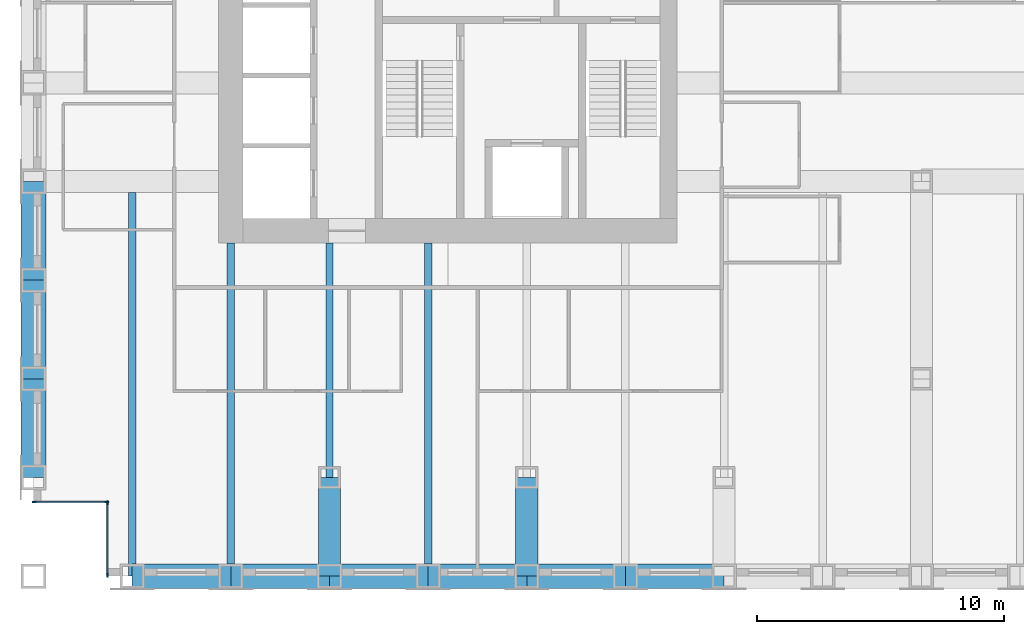
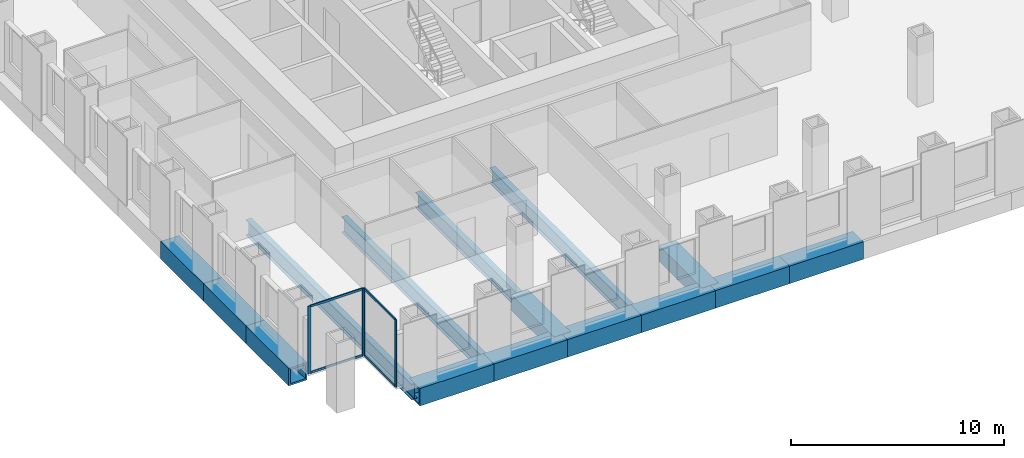
# One storey, part 2 of 16: 15 beams, 8 members, 2 elements without a shape of their own.
"""IFC4 building model written with IfcOpenShell, lengths in metres."""

from ifc_helpers import new_model, si_unit, direction, frame, origin, origin_2d, place, context, subcontext, project, spatial, rectangle, hollow_rectangle, i_section, extrude, material, material_profile, profile_set, type_object, element, aggregate, save


model = new_model("IFC4")

# Units and contexts
model_context = context("Model", 3, precision=1e-05, world=origin(), true_north=direction((0.0, 1.0)))
body_context = subcontext(model_context, "Body", "Model", "MODEL_VIEW")
ifc_project = project(units=[si_unit("LENGTHUNIT", "METRE"), si_unit("AREAUNIT", "SQUARE_METRE"), si_unit("VOLUMEUNIT", "CUBIC_METRE"), si_unit("PLANEANGLEUNIT", "RADIAN"), si_unit("MASSUNIT", "GRAM", prefix="KILO")], contexts=[model_context])

# Site, building, storey
site_placement = place(None, origin())
site = spatial("IfcSite", under=ifc_project, at=site_placement, CompositionType="ELEMENT")
building_placement = place(site_placement, origin())
building = spatial("IfcBuilding", under=site, at=building_placement, Name="Rimbunsela Tower", CompositionType="ELEMENT")
storey_placement = place(building_placement, frame((0.0, 0.0, 125.39990234375)))
storey = spatial("IfcBuildingStorey", under=building, at=storey_placement, Name="L30", CompositionType="ELEMENT", Elevation=125.39990234375)

# Beams
ifc_material_1 = material(Name="Steel BJ 55 (fy 410 MPa)", Category="steel")
ifc_material_profile_1 = material_profile(ifc_material_1, hollow_rectangle(XDim=1.0, YDim=1.0, WallThickness=0.10009765625, at=origin_2d()), Name="BOX 1000x1000x100")
ifc_profile_set_1 = profile_set([ifc_material_profile_1], Name="Steel BJ 55 (fy 410 MPa)")
beam_type_1 = type_object("IfcBeamType", Name="Beam BOX 1000x1000x100", PredefinedType="BEAM", material=ifc_profile_set_1)
for number, where, z_axis, x_axis, name in (
    (1, (10.0, 8.0, -0.64990234375), (0.0, 1.0, 0.0), (-1.0, 0.0, 0.0), "Beam B3 L30"),
    (2, (10.0, 12.0, -0.64990234375), (0.0, 1.0, 0.0), (-1.0, 0.0, 0.0), "Beam B3 L30"),
    (3, (10.0, 16.0, -0.64990234375), (0.0, 1.0, 0.0), (-1.0, 0.0, 0.0), "Beam B3 L30"),
    (4, (14.0, 4.0, -0.64990234375), (1.0, 0.0, 0.0), (0.0, 1.0, 0.0), "Beam B3 L30"),
    (5, (18.0, 4.0, -0.64990234375), (1.0, 0.0, 0.0), (0.0, 1.0, 0.0), "Beam B3 L30"),
    (6, (22.0, 4.0, -0.64990234375), (1.0, 0.0, 0.0), (0.0, 1.0, 0.0), "Beam B3 L30"),
    (7, (26.0, 4.0, -0.64990234375), (1.0, 0.0, 0.0), (0.0, 1.0, 0.0), "Beam B3 L30"),
    (8, (30.0, 4.0, -0.64990234375), (1.0, 0.0, 0.0), (0.0, 1.0, 0.0), "Beam B3 L30"),
    (9, (34.0, 4.0, -0.64990234375), (1.0, 0.0, 0.0), (0.0, 1.0, 0.0), "Beam B3 L30"),
):
    element("IfcBeam", number, at=place(storey_placement, frame(where, z_axis=z_axis, x_axis=x_axis)), inside=storey, type_object=beam_type_1, Name=name, PredefinedType="BEAM", context=body_context, shape_type="SweptSolid", body=[
        extrude(hollow_rectangle(XDim=1.0, YDim=1.0, WallThickness=0.10009765625, at=origin_2d()), origin(), (0.0, 0.0, 1.0), 4.0),
    ])
ifc_material_2 = material(Name="Steel BJ 55 (fy 410 MPa)", Category="steel")
ifc_material_profile_2 = material_profile(ifc_material_2, hollow_rectangle(XDim=0.89990234375, YDim=0.89990234375, WallThickness=0.06005859375, at=origin_2d()), Name="BOX 900x900x60")
ifc_profile_set_2 = profile_set([ifc_material_profile_2], Name="Steel BJ 55 (fy 410 MPa)")
beam_type_2 = type_object("IfcBeamType", Name="Beam BOX 900x900x60", PredefinedType="BEAM", material=ifc_profile_set_2)
for number, where, z_axis, x_axis, name in (
    (10, (22.0, 4.0, -0.599853515625), (0.0, 1.0, 0.0), (-1.0, 0.0, 0.0), "Beam B1 L30"),
    (11, (30.0, 4.0, -0.599853515625), (0.0, 1.0, 0.0), (-1.0, 0.0, 0.0), "Beam B1 L30"),
):
    element("IfcBeam", number, at=place(storey_placement, frame(where, z_axis=z_axis, x_axis=x_axis)), inside=storey, type_object=beam_type_2, Name=name, PredefinedType="BEAM", context=body_context, shape_type="SweptSolid", body=[
        extrude(hollow_rectangle(XDim=0.89990234375, YDim=0.89990234375, WallThickness=0.06005859375, at=origin_2d()), origin(), (0.0, 0.0, 1.0), 4.0),
    ])
ifc_material_3 = material(Name="Steel BJ 55 (fy 410 MPa)", Category="steel")
ifc_material_profile_3 = material_profile(ifc_material_3, i_section(OverallWidth=0.300048828125, OverallDepth=0.89990234375, WebThickness=0.01611328125, FlangeThickness=0.028076171875, FilletRadius=0.028076171875, at=origin_2d()), Name="H 900x300x16x28")
ifc_profile_set_3 = profile_set([ifc_material_profile_3], Name="Steel BJ 55 (fy 410 MPa)")
beam_type_3 = type_object("IfcBeamType", Name="Beam H 900x300x16x28", PredefinedType="BEAM", material=ifc_profile_set_3)
beam_1_placement = place(storey_placement, frame((14.0, 4.0, -0.599853515625), z_axis=(0.0, 1.0, 0.0), x_axis=(-1.0, 0.0, 0.0)))
element("IfcBeam", 12, at=beam_1_placement, inside=storey, type_object=beam_type_3, Name="Beam B2 L30", PredefinedType="BEAM", context=body_context, shape_type="SweptSolid", body=[
    extrude(i_section(OverallWidth=0.300048828125, OverallDepth=0.89990234375, WebThickness=0.01611328125, FlangeThickness=0.028076171875, FilletRadius=0.028076171875, at=origin_2d()), origin(), (0.0, 0.0, 1.0), 15.550048828125),
])
beam_2_placement = place(storey_placement, frame((18.0, 4.0, -0.599853515625), z_axis=(0.0, 1.0, 0.0), x_axis=(-1.0, 0.0, 0.0)))
element("IfcBeam", 13, at=beam_2_placement, inside=storey, type_object=beam_type_3, Name="Beam B2 L30", PredefinedType="BEAM", context=body_context, shape_type="SweptSolid", body=[
    extrude(i_section(OverallWidth=0.300048828125, OverallDepth=0.89990234375, WebThickness=0.01611328125, FlangeThickness=0.028076171875, FilletRadius=0.028076171875, at=origin_2d()), origin(), (0.0, 0.0, 1.0), 13.5),
])
beam_3_placement = place(storey_placement, frame((22.0, 8.0, -0.599853515625), z_axis=(0.0, 1.0, 0.0), x_axis=(-1.0, 0.0, 0.0)))
element("IfcBeam", 14, at=beam_3_placement, inside=storey, type_object=beam_type_3, Name="Beam B2 L30", PredefinedType="BEAM", context=body_context, shape_type="SweptSolid", body=[
    extrude(i_section(OverallWidth=0.300048828125, OverallDepth=0.89990234375, WebThickness=0.01611328125, FlangeThickness=0.028076171875, FilletRadius=0.028076171875, at=origin_2d()), origin(), (0.0, 0.0, 1.0), 9.5),
])
beam_4_placement = place(storey_placement, frame((26.0, 4.0, -0.599853515625), z_axis=(0.0, 1.0, 0.0), x_axis=(-1.0, 0.0, 0.0)))
element("IfcBeam", 15, at=beam_4_placement, inside=storey, type_object=beam_type_3, Name="Beam B2 L30", PredefinedType="BEAM", context=body_context, shape_type="SweptSolid", body=[
    extrude(i_section(OverallWidth=0.300048828125, OverallDepth=0.89990234375, WebThickness=0.01611328125, FlangeThickness=0.028076171875, FilletRadius=0.028076171875, at=origin_2d()), origin(), (0.0, 0.0, 1.0), 13.5),
])

# Curtain wall, members
ifc_material_4 = material(Name="Aluminium curtain wall", Category="aluminium")
curtain_wall_type = type_object("IfcCurtainWallType", Name="Corner glazing", PredefinedType="USERDEFINED", material=ifc_material_4)
curtain_wall_1_placement = place(storey_placement, origin())
curtain_wall_1 = element("IfcCurtainWall", 16, at=curtain_wall_1_placement, inside=storey, type_object=curtain_wall_type, Name="Corner glazing L30", ObjectType="CORNER GLAZING", PredefinedType="USERDEFINED")
ifc_material_5 = material(Name="Aluminium mullion", Category="aluminium")
ifc_material_profile_4 = material_profile(ifc_material_5, rectangle(XDim=0.06005859375, YDim=0.159912109375, at=origin_2d()), Name="Mullion 60x160")
ifc_profile_set_4 = profile_set([ifc_material_profile_4], Name="Aluminium mullion")
member_type_1 = type_object("IfcMemberType", Name="Curtain wall mullion 60x160", PredefinedType="MULLION", material=ifc_profile_set_4)
member_1_placement = place(storey_placement, frame((10.030029296875, 7.0, 0.0), z_axis=(0.0, 0.0, 1.0), x_axis=(0.0, 1.0, 0.0)))
member_1 = element("IfcMember", 17, at=member_1_placement, type_object=member_type_1, Name="CW5 mullion 1", PredefinedType="MULLION", context=body_context, shape_type="SweptSolid", body=[
    extrude(rectangle(XDim=0.06005859375, YDim=0.159912109375, at=origin_2d()), origin(), (0.0, 0.0, 1.0), 3.85009765625),
])
member_2_placement = place(storey_placement, frame((12.969970703125, 7.0, 0.0), z_axis=(0.0, 0.0, 1.0), x_axis=(0.0, 1.0, 0.0)))
member_2 = element("IfcMember", 18, at=member_2_placement, type_object=member_type_1, Name="CW5 mullion 2", PredefinedType="MULLION", context=body_context, shape_type="SweptSolid", body=[
    extrude(rectangle(XDim=0.06005859375, YDim=0.159912109375, at=origin_2d()), origin(), (0.0, 0.0, 1.0), 3.85009765625),
])

curtain_wall_2_placement = place(storey_placement, origin())
curtain_wall_2 = element("IfcCurtainWall", 19, at=curtain_wall_2_placement, inside=storey, type_object=curtain_wall_type, Name="Corner glazing L30", ObjectType="CORNER GLAZING", PredefinedType="USERDEFINED")
member_3_placement = place(storey_placement, frame((13.0, 6.969970703125, 0.0), z_axis=(0.0, 0.0, 1.0), x_axis=(1.0, 0.0, 0.0)))
member_3 = element("IfcMember", 20, at=member_3_placement, type_object=member_type_1, Name="CW5 mullion 1", PredefinedType="MULLION", context=body_context, shape_type="SweptSolid", body=[
    extrude(rectangle(XDim=0.06005859375, YDim=0.159912109375, at=origin_2d()), origin(), (0.0, 0.0, 1.0), 3.85009765625),
])
member_4_placement = place(storey_placement, frame((13.0, 4.030029296875, 0.0), z_axis=(0.0, 0.0, 1.0), x_axis=(1.0, 0.0, 0.0)))
member_4 = element("IfcMember", 21, at=member_4_placement, type_object=member_type_1, Name="CW5 mullion 2", PredefinedType="MULLION", context=body_context, shape_type="SweptSolid", body=[
    extrude(rectangle(XDim=0.06005859375, YDim=0.159912109375, at=origin_2d()), origin(), (0.0, 0.0, 1.0), 3.85009765625),
])

# Member
ifc_material_6 = material(Name="Aluminium transom", Category="aluminium")
ifc_material_profile_5 = material_profile(ifc_material_6, rectangle(XDim=0.06005859375, YDim=0.1201171875, at=origin_2d()), Name="Transom 60x120")
ifc_profile_set_5 = profile_set([ifc_material_profile_5], Name="Aluminium transom")
member_type_2 = type_object("IfcMemberType", Name="Curtain wall transom 60x120", PredefinedType="USERDEFINED", material=ifc_profile_set_5)
member_5_placement = place(storey_placement, frame((10.06005859375, 7.0, 0.030029296875), z_axis=(1.0, 0.0, 0.0), x_axis=(0.0, 1.0, 0.0)))
member_5 = element("IfcMember", 22, at=member_5_placement, type_object=member_type_2, Name="CW5 transom 1.1", ObjectType="TRANSOM", PredefinedType="USERDEFINED", context=body_context, shape_type="SweptSolid", body=[
    extrude(rectangle(XDim=0.06005859375, YDim=0.1201171875, at=origin_2d()), origin(), (0.0, 0.0, 1.0), 2.8798828125),
])

member_6_placement = place(storey_placement, frame((10.06005859375, 7.0, 3.820068359375), z_axis=(1.0, 0.0, 0.0), x_axis=(0.0, 1.0, 0.0)))
member_6 = element("IfcMember", 23, at=member_6_placement, type_object=member_type_2, Name="CW5 transom 1.2", ObjectType="TRANSOM", PredefinedType="USERDEFINED", context=body_context, shape_type="SweptSolid", body=[
    extrude(rectangle(XDim=0.06005859375, YDim=0.1201171875, at=origin_2d()), origin(), (0.0, 0.0, 1.0), 2.8798828125),
])

aggregate(curtain_wall_1, [member_1, member_2, member_5, member_6])

member_7_placement = place(storey_placement, frame((13.0, 6.93994140625, 0.030029296875), z_axis=(0.0, -1.0, 0.0), x_axis=(1.0, 0.0, 0.0)))
member_7 = element("IfcMember", 24, at=member_7_placement, type_object=member_type_2, Name="CW5 transom 1.1", ObjectType="TRANSOM", PredefinedType="USERDEFINED", context=body_context, shape_type="SweptSolid", body=[
    extrude(rectangle(XDim=0.06005859375, YDim=0.1201171875, at=origin_2d()), origin(), (0.0, 0.0, 1.0), 2.8798828125),
])

member_8_placement = place(storey_placement, frame((13.0, 6.93994140625, 3.820068359375), z_axis=(0.0, -1.0, 0.0), x_axis=(1.0, 0.0, 0.0)))
member_8 = element("IfcMember", 25, at=member_8_placement, type_object=member_type_2, Name="CW5 transom 1.2", ObjectType="TRANSOM", PredefinedType="USERDEFINED", context=body_context, shape_type="SweptSolid", body=[
    extrude(rectangle(XDim=0.06005859375, YDim=0.1201171875, at=origin_2d()), origin(), (0.0, 0.0, 1.0), 2.8798828125),
])

aggregate(curtain_wall_2, [member_3, member_4, member_7, member_8])

save(model, "model.ifc")
